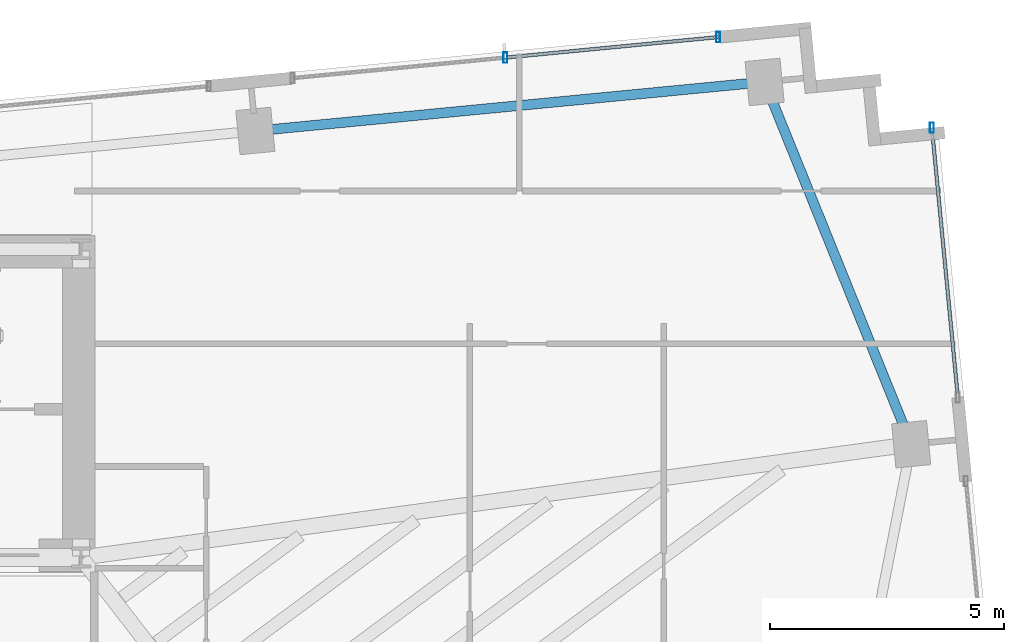
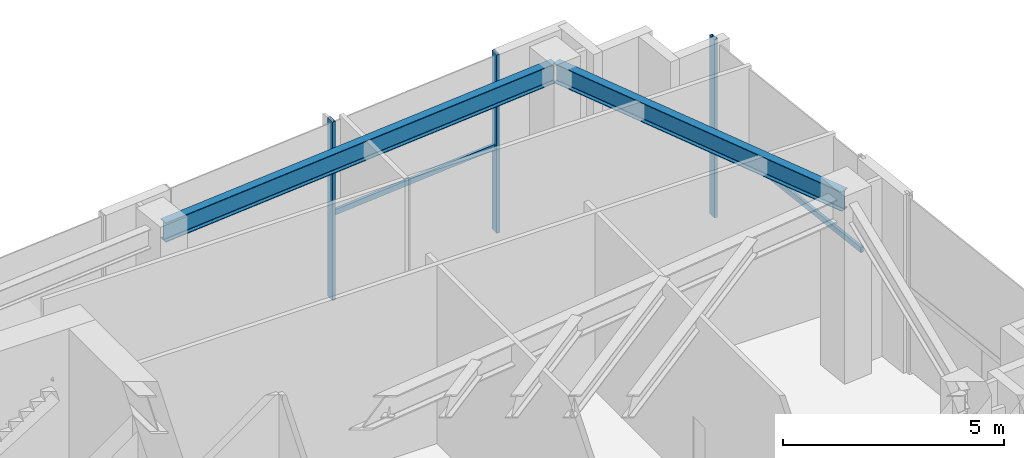
# One storey, part 12 of 21: 5 members, 2 beams, 2 elements without a shape of their own.
"""IFC4 building model written with IfcOpenShell, lengths in metres."""

from ifc_helpers import new_model, si_unit, direction, frame, origin, origin_2d, place, context, subcontext, project, spatial, hollow_rectangle, i_section, extrude, source, transform, mapped, material, material_profile, profile_set, type_object, type_shapes, element, aggregate, save


model = new_model("IFC4")

# Units and contexts
model_context = context("Model", 3, precision=1e-05, world=origin(), true_north=direction((0.0, 1.0)))
body_context = subcontext(model_context, "Body", "Model", "MODEL_VIEW")
ifc_project = project(units=[si_unit("LENGTHUNIT", "METRE"), si_unit("AREAUNIT", "SQUARE_METRE"), si_unit("VOLUMEUNIT", "CUBIC_METRE"), si_unit("PLANEANGLEUNIT", "RADIAN"), si_unit("MASSUNIT", "GRAM", prefix="KILO")], contexts=[model_context])

# Site, building, storey
site_placement = place(None, origin())
site = spatial("IfcSite", under=ifc_project, at=site_placement, CompositionType="ELEMENT")
building_placement = place(site_placement, origin())
building = spatial("IfcBuilding", under=site, at=building_placement, Name="Astriad Promenade Condominiums", CompositionType="ELEMENT")
storey_placement = place(building_placement, frame((0.0, 0.0, 167.800048828125)))
storey = spatial("IfcBuildingStorey", under=building, at=storey_placement, Name="L48", CompositionType="ELEMENT", Elevation=167.800048828125)

# Beams
ifc_material_1 = material(Name="Steel ASTM A992 Grade 50", Category="steel")
ifc_material_profile_1 = material_profile(ifc_material_1, i_section(OverallWidth=0.210693359375, OverallDepth=0.53955078125, WebThickness=0.01171875, FlangeThickness=0.018798828125, FilletRadius=0.0166015625, at=origin_2d()), Name="W21X73")
ifc_profile_set_1 = profile_set([ifc_material_profile_1], Name="Steel ASTM A992 Grade 50")
beam_type = type_object("IfcBeamType", Name="STEEL SPANDREL BEAM W21X73", PredefinedType="SPANDREL", material=ifc_profile_set_1)
shared_shape_1 = source(origin(), body_context, "Body", "SweptSolid", [
    extrude(i_section(OverallWidth=0.210693359375, OverallDepth=0.53955078125, WebThickness=0.01171875, FlangeThickness=0.018798828125, FilletRadius=0.0166015625, at=origin_2d()), origin(), (0.0, 0.0, 1.0), 10.8701171875),
])
beam_1_placement = place(storey_placement, frame((60.190673828125, 27.578369140625, 4.670166015625), z_axis=(-0.995394986184, -0.09585834069, 0.0), x_axis=(0.09585834069, -0.995394986184, 0.0)))
element("IfcBeam", 1, at=beam_1_placement, inside=storey, type_object=beam_type, Name="Perimeter Spandrel Beam SP-N4-L48", PredefinedType="SPANDREL", context=body_context, shape_type="MappedRepresentation", body=[
    mapped(shared_shape_1, transform((0.0, 0.0, 0.0), scale=1.0)),
])
shared_shape_2 = source(origin(), body_context, "Body", "SweptSolid", [
    extrude(i_section(OverallWidth=0.210693359375, OverallDepth=0.53955078125, WebThickness=0.01171875, FlangeThickness=0.018798828125, FilletRadius=0.0166015625, at=origin_2d()), origin(), (0.0, 0.0, 1.0), 8.28564453125),
])
type_shapes(beam_type, [shared_shape_1, shared_shape_2])
beam_2_placement = place(storey_placement, frame((63.353271484375, 19.8642578125, 4.670166015625), z_axis=(-0.375070987134, 0.926996092014, 0.0), x_axis=(-0.926996092014, -0.375070987134, 0.0)))
element("IfcBeam", 2, at=beam_2_placement, inside=storey, type_object=beam_type, Name="Perimeter Spandrel Beam SP-E2-L48", PredefinedType="SPANDREL", context=body_context, shape_type="MappedRepresentation", body=[
    mapped(shared_shape_2, transform((0.0, 0.0, 0.0), scale=1.0)),
])

# Curtain wall, members
ifc_material_2 = material(Name="Anodised aluminium Black Dark Glass Unitised", Category="aluminium")
curtain_wall_type = type_object("IfcCurtainWallType", Name="CW-B34-DARK", PredefinedType="USERDEFINED", material=ifc_material_2)
curtain_wall_1_placement = place(storey_placement, origin())
curtain_wall_1 = element("IfcCurtainWall", 3, at=curtain_wall_1_placement, inside=storey, type_object=curtain_wall_type, Name="CW-L48-N-4", ObjectType="UNITISED_CURTAIN_WALL", PredefinedType="USERDEFINED")
ifc_material_3 = material(Name="Anodised aluminium 6063-T6 Black", Category="aluminium")
ifc_material_profile_2 = material_profile(ifc_material_3, hollow_rectangle(XDim=0.0849609375, YDim=0.219970703125, WallThickness=0.0048828125, at=origin_2d()), Name="ALU-MUL-85X220")
ifc_profile_set_2 = profile_set([ifc_material_profile_2], Name="Anodised aluminium 6063-T6 Black")
member_type_1 = type_object("IfcMemberType", Name="MUL-ALU-MUL-85X220", PredefinedType="MULLION", material=ifc_profile_set_2)
shared_shape_3 = source(origin(), body_context, "Body", "SweptSolid", [
    extrude(hollow_rectangle(XDim=0.0849609375, YDim=0.219970703125, WallThickness=0.0048828125, at=origin_2d()), origin(), (0.0, 0.0, 1.0), 4.93994140625),
])
type_shapes(member_type_1, [shared_shape_3])
member_1_placement = place(storey_placement, frame((54.68017578125, 28.1025390625, 0.0), z_axis=(0.0, 0.0, 1.0), x_axis=(1.0, 0.0, 0.0)))
member_1 = element("IfcMember", 4, at=member_1_placement, type_object=member_type_1, Name="CW-L48-N-4-MUL-01", PredefinedType="MULLION", context=body_context, shape_type="MappedRepresentation", body=[
    mapped(shared_shape_3, transform((0.0, 0.0, 0.0), scale=1.0)),
])
member_2_placement = place(storey_placement, frame((59.23388671875, 28.541015625, 0.0), z_axis=(0.0, 0.0, 1.0), x_axis=(1.0, 0.0, 0.0)))
member_2 = element("IfcMember", 5, at=member_2_placement, type_object=member_type_1, Name="CW-L48-N-4-MUL-02", PredefinedType="MULLION", context=body_context, shape_type="MappedRepresentation", body=[
    mapped(shared_shape_3, transform((0.0, 0.0, 0.0), scale=1.0)),
])

# Curtain wall, member
curtain_wall_2_placement = place(storey_placement, origin())
curtain_wall_2 = element("IfcCurtainWall", 6, at=curtain_wall_2_placement, inside=storey, type_object=curtain_wall_type, Name="CW-L48-E-1", ObjectType="UNITISED_CURTAIN_WALL", PredefinedType="USERDEFINED")
member_3_placement = place(storey_placement, frame((63.81103515625, 26.6005859375, 0.0), z_axis=(0.0, 0.0, 1.0), x_axis=(1.0, 0.0, 0.0)))
member_3 = element("IfcMember", 7, at=member_3_placement, type_object=member_type_1, Name="CW-L48-E-1-MUL-00", PredefinedType="MULLION", context=body_context, shape_type="MappedRepresentation", body=[
    mapped(shared_shape_3, transform((0.0, 0.0, 0.0), scale=1.0)),
])

# Member
ifc_material_profile_3 = material_profile(ifc_material_3, hollow_rectangle(XDim=0.074951171875, YDim=0.14990234375, WallThickness=0.004150390625, at=origin_2d()), Name="ALU-TRN-75X150")
ifc_profile_set_3 = profile_set([ifc_material_profile_3], Name="Anodised aluminium 6063-T6 Black")
member_type_2 = type_object("IfcMemberType", Name="TRN-ALU-TRN-75X150", PredefinedType="USERDEFINED", material=ifc_profile_set_3)
shared_shape_4 = source(origin(), body_context, "Body", "SweptSolid", [
    extrude(hollow_rectangle(XDim=0.074951171875, YDim=0.14990234375, WallThickness=0.004150390625, at=origin_2d()), origin(), (0.0, 0.0, 1.0), 4.57470703125),
])
member_4_placement = place(storey_placement, frame((54.68017578125, 28.1025390625, 2.349853515625), z_axis=(0.995396113477, 0.095846634131, 0.0), x_axis=(-0.095846634131, 0.995396113477, 0.0)))
member_4 = element("IfcMember", 8, at=member_4_placement, type_object=member_type_2, Name="CW-L48-N-4-TRN-01-0", ObjectType="TRANSOM", PredefinedType="USERDEFINED", context=body_context, shape_type="MappedRepresentation", body=[
    mapped(shared_shape_4, transform((0.0, 0.0, 0.0), scale=1.0)),
])

aggregate(curtain_wall_1, [member_1, member_2, member_4])

shared_shape_5 = source(origin(), body_context, "Body", "SweptSolid", [
    extrude(hollow_rectangle(XDim=0.074951171875, YDim=0.14990234375, WallThickness=0.004150390625, at=origin_2d()), origin(), (0.0, 0.0, 1.0), 5.7998046875),
])
type_shapes(member_type_2, [shared_shape_4, shared_shape_5])
member_5_placement = place(storey_placement, frame((63.81103515625, 26.6005859375, 2.349853515625), z_axis=(0.095847957887, -0.995395986012, 0.0), x_axis=(0.995395986012, 0.095847957887, 0.0)))
member_5 = element("IfcMember", 9, at=member_5_placement, type_object=member_type_2, Name="CW-L48-E-1-TRN-00-0", ObjectType="TRANSOM", PredefinedType="USERDEFINED", context=body_context, shape_type="MappedRepresentation", body=[
    mapped(shared_shape_5, transform((0.0, 0.0, 0.0), scale=1.0)),
])

aggregate(curtain_wall_2, [member_3, member_5])

save(model, "model.ifc")
